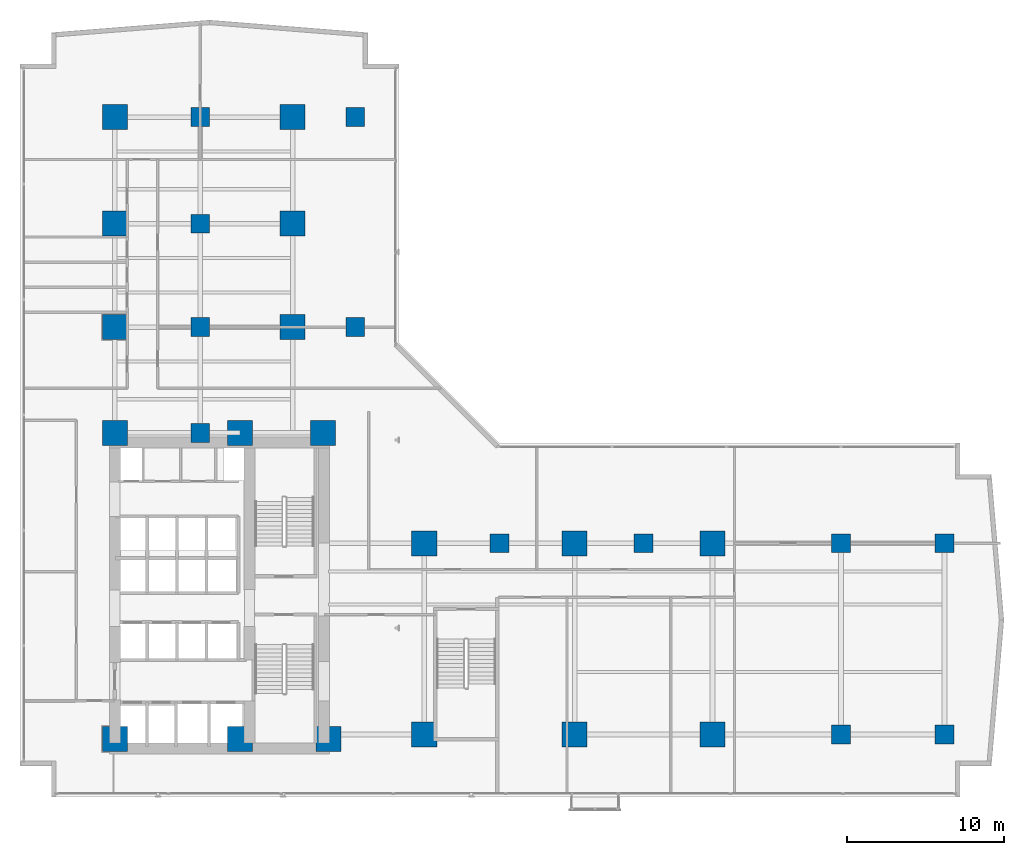
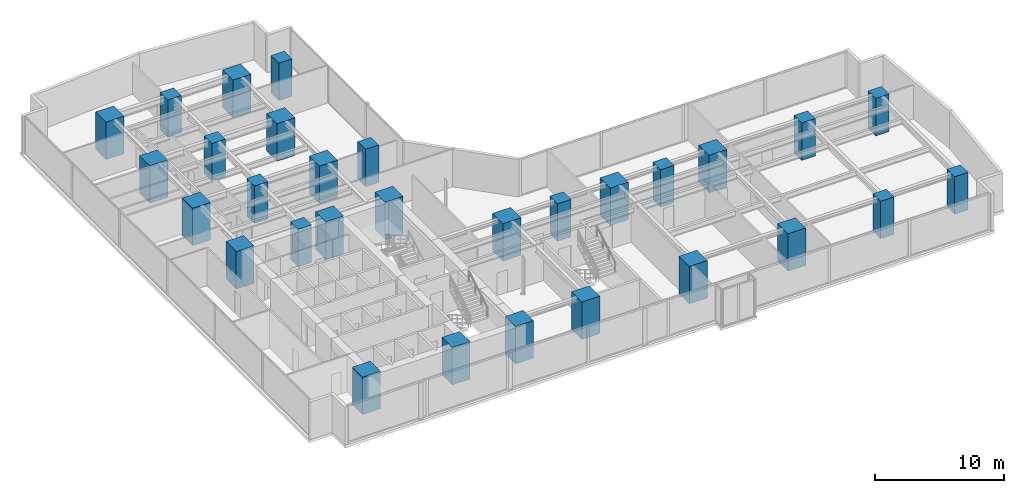
# One storey, part 1 of 30: 30 columns.
"""IFC4 building model written with IfcOpenShell, lengths in metres."""

from ifc_helpers import new_model, si_unit, direction, frame, origin, origin_2d, place, context, subcontext, project, spatial, rectangle, extrude, material, material_profile, profile_set, type_object, element, save


model = new_model("IFC4")

# Units and contexts
model_context = context("Model", 3, precision=1e-05, world=origin(), true_north=direction((0.0, 1.0)))
body_context = subcontext(model_context, "Body", "Model", "MODEL_VIEW")
ifc_project = project(units=[si_unit("LENGTHUNIT", "METRE"), si_unit("AREAUNIT", "SQUARE_METRE"), si_unit("VOLUMEUNIT", "CUBIC_METRE"), si_unit("PLANEANGLEUNIT", "RADIAN"), si_unit("MASSUNIT", "GRAM", prefix="KILO")], contexts=[model_context])

# Site, building, storey
site_placement = place(None, origin())
site = spatial("IfcSite", under=ifc_project, at=site_placement, CompositionType="ELEMENT")
building_placement = place(site_placement, origin())
building = spatial("IfcBuilding", under=site, at=building_placement, Name="Kolvaren Waterfront Exchange", CompositionType="ELEMENT")
storey_placement = place(building_placement, frame((0.0, 0.0, 71.39990234375)))
storey = spatial("IfcBuildingStorey", under=building, at=storey_placement, Name="L18", CompositionType="ELEMENT", Elevation=71.39990234375)

# Columns
ifc_material = material(Name="Concrete C70/85", Category="concrete")
ifc_material_profile_1 = material_profile(ifc_material, rectangle(XDim=1.199951171875, YDim=1.199951171875, at=origin_2d()), Name="RC-COL-1200x1200")
ifc_profile_set_1 = profile_set([ifc_material_profile_1], Name="Concrete C70/85")
column_type_1 = type_object("IfcColumnType", Name="STR-COL-1200-C70", PredefinedType="COLUMN", material=ifc_profile_set_1)
for number, where, z_axis, x_axis, name in (
    (1, (53.800048828125, 5.199951171875, 0.0), (0.0, 0.0, 1.0), (1.0, 0.0, 0.0), "L18 column ZC01"),
    (2, (53.800048828125, 17.39990234375, 0.0), (0.0, 0.0, 1.0), (1.0, 0.0, 0.0), "L18 column ZC02"),
    (3, (60.39990234375, 5.199951171875, 0.0), (0.0, 0.0, 1.0), (1.0, 0.0, 0.0), "L18 column ZC03"),
    (4, (60.39990234375, 17.39990234375, 0.0), (0.0, 0.0, 1.0), (1.0, 0.0, 0.0), "L18 column ZC04"),
    (5, (22.800048828125, 31.199951171875, 0.0), (0.0, 0.0, 1.0), (1.0, 0.0, 0.0), "L18 column ZC05"),
    (6, (22.800048828125, 44.60009765625, 0.0), (0.0, 0.0, 1.0), (1.0, 0.0, 0.0), "L18 column ZC06"),
    (7, (12.89990234375, 24.449951171875, 0.0), (0.0, 0.0, 1.0), (1.0, 0.0, 0.0), "L18 column TC01"),
    (8, (12.89990234375, 31.199951171875, 0.0), (0.0, 0.0, 1.0), (1.0, 0.0, 0.0), "L18 column TC02"),
    (9, (12.89990234375, 37.800048828125, 0.0), (0.0, 0.0, 1.0), (1.0, 0.0, 0.0), "L18 column TC03"),
    (10, (12.89990234375, 44.60009765625, 0.0), (0.0, 0.0, 1.0), (1.0, 0.0, 0.0), "L18 column TC04"),
    (11, (32.0, 17.39990234375, 0.0), (0.0, 0.0, 1.0), (1.0, 0.0, 0.0), "L18 column TC05"),
    (12, (41.199951171875, 17.39990234375, 0.0), (0.0, 0.0, 1.0), (1.0, 0.0, 0.0), "L18 column TC06"),
):
    element("IfcColumn", number, at=place(storey_placement, frame(where, z_axis=z_axis, x_axis=x_axis)), inside=storey, type_object=column_type_1, Name=name, PredefinedType="COLUMN", context=body_context, shape_type="SweptSolid", body=[
        extrude(rectangle(XDim=1.199951171875, YDim=1.199951171875, at=origin_2d()), origin(), (0.0, 0.0, 1.0), 3.5400390625),
    ])
ifc_material_profile_2 = material_profile(ifc_material, rectangle(XDim=1.60009765625, YDim=1.60009765625, at=origin_2d()), Name="RC-COL-1600x1600")
ifc_profile_set_2 = profile_set([ifc_material_profile_2], Name="Concrete C70/85")
column_type_2 = type_object("IfcColumnType", Name="STR-COL-1600-C70", PredefinedType="COLUMN", material=ifc_profile_set_2)
for number, where, z_axis, x_axis, name in (
    (13, (7.449951171875, 4.89990234375, 0.0), (0.0, 0.0, 1.0), (1.0, 0.0, 0.0), "L18 column MC01"),
    (14, (15.449951171875, 4.89990234375, 0.0), (0.0, 0.0, 1.0), (1.0, 0.0, 0.0), "L18 column MC02"),
    (15, (21.10009765625, 4.89990234375, 0.0), (0.0, 0.0, 1.0), (1.0, 0.0, 0.0), "L18 column MC03"),
    (16, (7.449951171875, 24.449951171875, 0.0), (0.0, 0.0, 1.0), (1.0, 0.0, 0.0), "L18 column MC04"),
    (17, (15.449951171875, 24.449951171875, 0.0), (0.0, 0.0, 1.0), (1.0, 0.0, 0.0), "L18 column MC05"),
    (18, (20.75, 24.449951171875, 0.0), (0.0, 0.0, 1.0), (1.0, 0.0, 0.0), "L18 column MC06"),
    (19, (7.449951171875, 31.199951171875, 0.0), (0.0, 0.0, 1.0), (1.0, 0.0, 0.0), "L18 column NC01"),
    (20, (7.449951171875, 37.800048828125, 0.0), (0.0, 0.0, 1.0), (1.0, 0.0, 0.0), "L18 column NC02"),
    (21, (7.449951171875, 44.60009765625, 0.0), (0.0, 0.0, 1.0), (1.0, 0.0, 0.0), "L18 column NC03"),
    (22, (18.800048828125, 31.199951171875, 0.0), (0.0, 0.0, 1.0), (1.0, 0.0, 0.0), "L18 column NC04"),
    (23, (18.800048828125, 37.800048828125, 0.0), (0.0, 0.0, 1.0), (1.0, 0.0, 0.0), "L18 column NC05"),
    (24, (18.800048828125, 44.60009765625, 0.0), (0.0, 0.0, 1.0), (1.0, 0.0, 0.0), "L18 column NC06"),
    (25, (27.199951171875, 5.199951171875, 0.0), (0.0, 0.0, 1.0), (1.0, 0.0, 0.0), "L18 column EC01"),
    (26, (36.800048828125, 5.199951171875, 0.0), (0.0, 0.0, 1.0), (1.0, 0.0, 0.0), "L18 column EC02"),
    (27, (45.60009765625, 5.199951171875, 0.0), (0.0, 0.0, 1.0), (1.0, 0.0, 0.0), "L18 column EC03"),
    (28, (27.199951171875, 17.39990234375, 0.0), (0.0, 0.0, 1.0), (1.0, 0.0, 0.0), "L18 column EC04"),
    (29, (36.800048828125, 17.39990234375, 0.0), (0.0, 0.0, 1.0), (1.0, 0.0, 0.0), "L18 column EC05"),
    (30, (45.60009765625, 17.39990234375, 0.0), (0.0, 0.0, 1.0), (1.0, 0.0, 0.0), "L18 column EC06"),
):
    element("IfcColumn", number, at=place(storey_placement, frame(where, z_axis=z_axis, x_axis=x_axis)), inside=storey, type_object=column_type_2, Name=name, PredefinedType="COLUMN", context=body_context, shape_type="SweptSolid", body=[
        extrude(rectangle(XDim=1.60009765625, YDim=1.60009765625, at=origin_2d()), origin(), (0.0, 0.0, 1.0), 3.5400390625),
    ])

save(model, "model.ifc")
